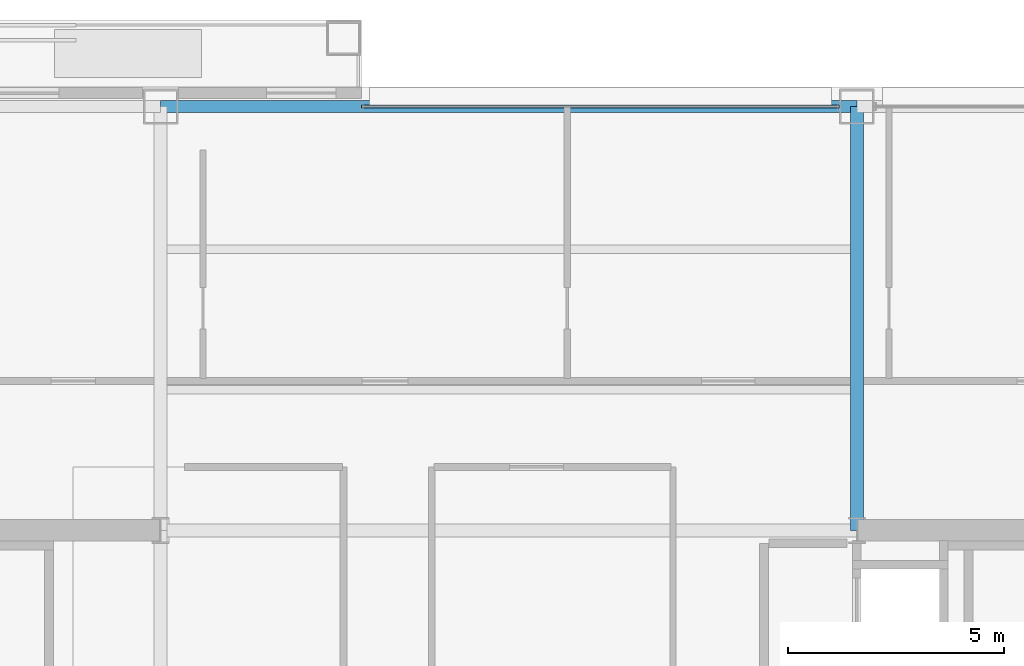
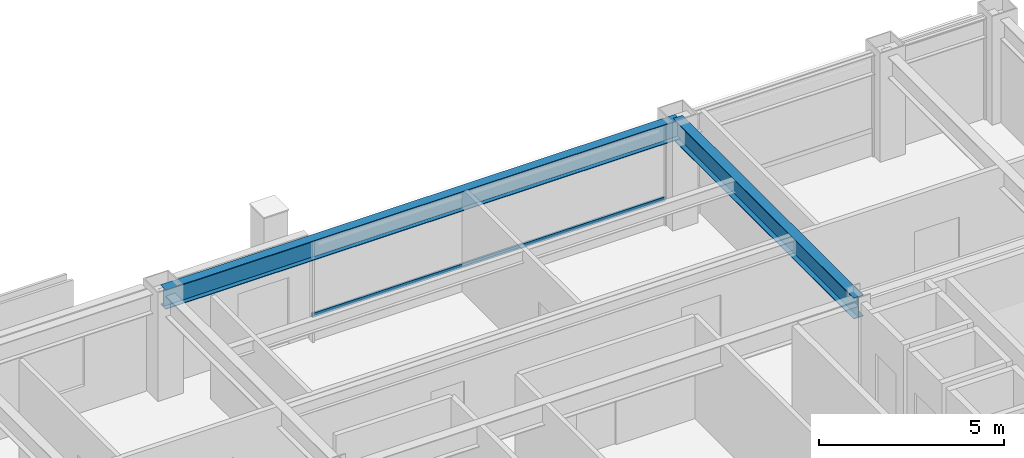
# One storey, part 20 of 29: 2 beams, 1 member, 1 element without a shape of its own.
"""IFC4 building model written with IfcOpenShell, lengths in metres."""

from ifc_helpers import new_model, si_unit, direction, frame, origin, origin_2d, place, context, subcontext, project, spatial, hollow_rectangle, i_section, extrude, material, layer, layer_set, material_profile, profile_set, type_object, element, aggregate, save


model = new_model("IFC4")

# Units and contexts
model_context = context("Model", 3, precision=1e-05, world=origin(), true_north=direction((0.0, 1.0)))
body_context = subcontext(model_context, "Body", "Model", "MODEL_VIEW")
ifc_project = project(units=[si_unit("LENGTHUNIT", "METRE"), si_unit("AREAUNIT", "SQUARE_METRE"), si_unit("VOLUMEUNIT", "CUBIC_METRE"), si_unit("PLANEANGLEUNIT", "RADIAN"), si_unit("MASSUNIT", "GRAM", prefix="KILO")], contexts=[model_context])

# Site, building, storey
site_placement = place(None, origin())
site = spatial("IfcSite", under=ifc_project, at=site_placement, CompositionType="ELEMENT")
building_placement = place(site_placement, origin())
building = spatial("IfcBuilding", under=site, at=building_placement, Name="Brelmoor Portico Tower", CompositionType="ELEMENT")
storey_placement = place(building_placement, frame((0.0, 0.0, 135.0)))
storey = spatial("IfcBuildingStorey", under=building, at=storey_placement, Name="L35", CompositionType="ELEMENT", Elevation=135.0)

# Beams
ifc_material_1 = material(Name="Steel Q355B", Category="steel")
ifc_material_profile_1 = material_profile(ifc_material_1, i_section(OverallWidth=0.300048828125, OverallDepth=0.699951171875, WebThickness=0.012939453125, FlangeThickness=0.02392578125, at=origin_2d()), Name="HN 700x300x13x24")
ifc_profile_set_1 = profile_set([ifc_material_profile_1], Name="Steel Q355B")
beam_type_1 = type_object("IfcBeamType", Name="BM-PG-700", PredefinedType="BEAM", material=ifc_profile_set_1)
beam_1_placement = place(storey_placement, frame((8.050048828125, 9.75, 3.050048828125), z_axis=(0.0, 1.0, 0.0), x_axis=(-1.0, 0.0, 0.0)))
element("IfcBeam", 1, at=beam_1_placement, inside=storey, type_object=beam_type_1, Name="L35 Primary Floor Girder PG-09", PredefinedType="BEAM", context=body_context, shape_type="SweptSolid", body=[
    extrude(i_section(OverallWidth=0.300048828125, OverallDepth=0.699951171875, WebThickness=0.012939453125, FlangeThickness=0.02392578125, at=origin_2d()), origin(), (0.0, 0.0, 1.0), 9.800048828125),
])
ifc_material_profile_2 = material_profile(ifc_material_1, i_section(OverallWidth=0.280029296875, OverallDepth=0.64990234375, WebThickness=0.012939453125, FlangeThickness=0.02197265625, at=origin_2d()), Name="HN 650x280x13x22")
ifc_profile_set_2 = profile_set([ifc_material_profile_2], Name="Steel Q355B")
beam_type_2 = type_object("IfcBeamType", Name="BM-SP-650", PredefinedType="SPANDREL", material=ifc_profile_set_2)
beam_2_placement = place(storey_placement, frame((-8.050048828125, 19.550048828125, 3.074951171875), z_axis=(1.0, 0.0, 0.0), x_axis=(0.0, 1.0, 0.0)))
element("IfcBeam", 2, at=beam_2_placement, inside=storey, type_object=beam_type_2, Name="L35 Perimeter Spandrel Beam SP-12", PredefinedType="SPANDREL", context=body_context, shape_type="SweptSolid", body=[
    extrude(i_section(OverallWidth=0.280029296875, OverallDepth=0.64990234375, WebThickness=0.012939453125, FlangeThickness=0.02197265625, at=origin_2d()), origin(), (0.0, 0.0, 1.0), 16.10009765625),
])

# Curtain wall, member
ifc_material_2 = material(Name="Anodised Aluminium Alloy 6063-T6", Category="aluminium")
ifc_layer = layer(ifc_material_2, 0.179931640625)
ifc_layer_set = layer_set([ifc_layer], Name="Anodised Aluminium Alloy 6063-T6")
curtain_wall_type = type_object("IfcCurtainWallType", Name="CW-TOWER-Z2", PredefinedType="NOTDEFINED", material=ifc_layer_set)
curtain_wall_placement = place(storey_placement, origin())
curtain_wall = element("IfcCurtainWall", 3, at=curtain_wall_placement, inside=storey, type_object=curtain_wall_type, Name="L35 Curtain Wall CW-L35-2R-1", PredefinedType="NOTDEFINED")
ifc_material_profile_3 = material_profile(ifc_material_2, hollow_rectangle(XDim=0.06494140625, YDim=0.139892578125, WallThickness=0.00390625, at=origin_2d()), Name="ALU TRANSOM 65x140")
ifc_profile_set_3 = profile_set([ifc_material_profile_3], Name="Anodised Aluminium Alloy 6063-T6")
member_type = type_object("IfcMemberType", Name="MB-CW-TRAN-140", PredefinedType="USERDEFINED", material=ifc_profile_set_3)
member_placement = place(storey_placement, frame((-3.39990234375, 19.550048828125, 0.85009765625), z_axis=(1.0, 0.0, 0.0), x_axis=(0.0, 1.0, 0.0)))
member = element("IfcMember", 4, at=member_placement, type_object=member_type, Name="CW-L35-2R-1 Transom 1-00", ObjectType="TRANSOM", PredefinedType="USERDEFINED", context=body_context, shape_type="SweptSolid", body=[
    extrude(hollow_rectangle(XDim=0.06494140625, YDim=0.139892578125, WallThickness=0.00390625, at=origin_2d()), origin(), (0.0, 0.0, 1.0), 11.039794921875),
])
aggregate(curtain_wall, [member])

save(model, "model.ifc")
